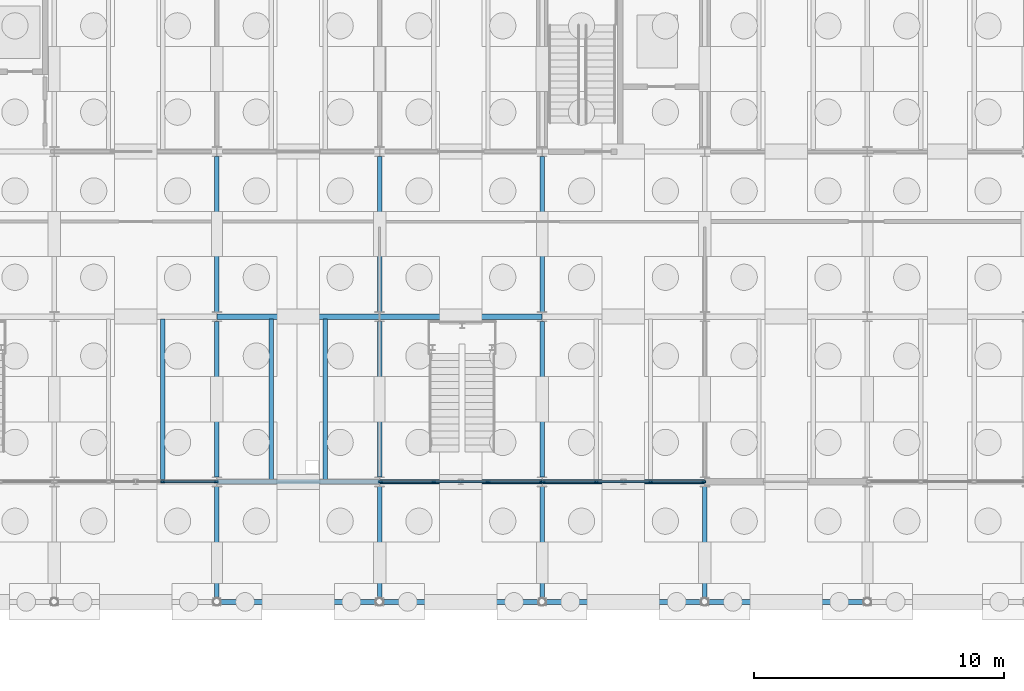
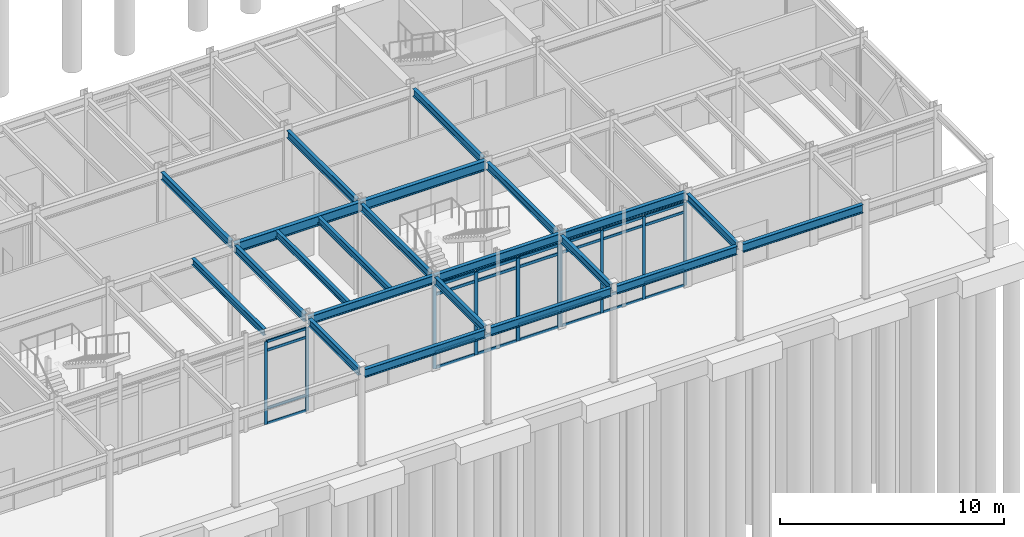
# One storey, part 43 of 82: 38 members, 22 beams, 3 elements without a shape of their own.
"""IFC4 building model written with IfcOpenShell, lengths in metres."""

import ifcopenshell
import ifcopenshell.guid

model = None  # the IFC model being written
_history = None  # IfcOwnerHistory: only IFC2X3 demands one
_inside = {}  # id of a spatial element -> (the spatial element, [elements in it])
_under = {}  # id of a project, library or spatial element -> (it, [spatial elements below it])
_declared = {}  # id of a project -> (the project, [libraries it declares])
_typed = {}  # id of a type object -> (the type object, [elements of that type])
_made_of = {}  # id of a material, layer set ... -> (it, [elements and type objects made of it])


def new_model(schema):
    """Start an empty IFC model of exactly this schema.

    Asked for "IFC4X3", IfcOpenShell would pick the latest addendum, in which some entities
    have other attributes; the version numbers below select the first issue.
    IFC2X3 requires an IfcOwnerHistory on every rooted entity: one is made here for all.
    """
    global model, _history
    if schema == "IFC4X3":
        model = ifcopenshell.file(schema_version=(4, 3, 0, 0))
    else:
        model = ifcopenshell.file(schema=schema)
    _inside.clear()
    _under.clear()
    _declared.clear()
    _typed.clear()
    _made_of.clear()
    _history = None
    if model.schema == "IFC2X3":
        org = make("IfcOrganization", Name="unknown")
        user = make(
            "IfcPersonAndOrganization",
            ThePerson=make("IfcPerson", FamilyName="unknown"),
            TheOrganization=org,
        )
        app = make(
            "IfcApplication",
            ApplicationDeveloper=org,
            Version="unknown",
            ApplicationFullName="unknown",
            ApplicationIdentifier="unknown",
        )
        _history = make(
            "IfcOwnerHistory",
            OwningUser=user,
            OwningApplication=app,
            ChangeAction="ADDED",
            CreationDate=0,
        )
    return model


def make(cls, **values):
    """One entity of the class cls with the attributes given. An attribute that is None is left unset."""
    return model.create_entity(
        cls, **{name: value for name, value in values.items() if value is not None}
    )


def rooted(cls, **values):
    """An entity with a GlobalId (a new one), such as an element, a storey or a relation."""
    return make(cls, GlobalId=ifcopenshell.guid.new(), OwnerHistory=_history, **values)


def si_unit(unit_type, name, prefix=None):
    """IfcSIUnit, for example si_unit("LENGTHUNIT", "METRE", prefix="MILLI")."""
    return make("IfcSIUnit", UnitType=unit_type, Prefix=prefix, Name=name)


def assignment(units):
    """IfcUnitAssignment: the units of a project."""
    return None if units is None else make("IfcUnitAssignment", Units=units)


def point(xyz):
    """IfcCartesianPoint."""
    return None if xyz is None else make("IfcCartesianPoint", Coordinates=xyz)


def direction(xyz):
    """IfcDirection."""
    return None if xyz is None else make("IfcDirection", DirectionRatios=xyz)


def frame(location, z_axis=None, x_axis=None):
    """IfcAxis2Placement3D, a coordinate frame: its origin and axes. An axis left out is left unset."""
    return make(
        "IfcAxis2Placement3D",
        Location=point(location),
        Axis=direction(z_axis),
        RefDirection=direction(x_axis),
    )


def frame_2d(location, x_axis=None):
    """IfcAxis2Placement2D, a coordinate frame in the plane: its origin and x axis."""
    return make(
        "IfcAxis2Placement2D", Location=point(location), RefDirection=direction(x_axis)
    )


def origin():
    """The frame at (0, 0, 0) with its axes left unset."""
    return frame((0.0, 0.0, 0.0))


def origin_2d():
    """The frame at (0, 0) in the plane with its x axis left unset."""
    return frame_2d((0.0, 0.0))


def place(relative_to, where):
    """IfcLocalPlacement: puts the frame where relative to a parent placement (None: the world)."""
    return make(
        "IfcLocalPlacement", PlacementRelTo=relative_to, RelativePlacement=where
    )


def context(
    kind, dimensions, precision=None, world=None, true_north=None, identifier=None
):
    """IfcGeometricRepresentationContext, for example the 3D "Model" context."""
    return make(
        "IfcGeometricRepresentationContext",
        ContextIdentifier=identifier,
        ContextType=kind,
        CoordinateSpaceDimension=dimensions,
        Precision=precision,
        WorldCoordinateSystem=world,
        TrueNorth=true_north,
    )


def subcontext(parent, identifier, kind, view, scale=None):
    """IfcGeometricRepresentationSubContext, for example "Body" below "Model"."""
    return make(
        "IfcGeometricRepresentationSubContext",
        ContextIdentifier=identifier,
        ContextType=kind,
        ParentContext=parent,
        TargetScale=scale,
        TargetView=view,
    )


def project(units=None, contexts=None):
    """IfcProject with its units and contexts."""
    return rooted(
        "IfcProject",
        Name="project",
        RepresentationContexts=contexts,
        UnitsInContext=assignment(units),
    )


def spatial(cls, under=None, at=None, **own):
    """A site, building, storey or space (cls), placed at a placement, below another one or the project."""
    s = rooted(cls, ObjectPlacement=at, **own)
    if under is not None:
        _under.setdefault(under.id(), (under, []))[1].append(s)
    return s


def profile(cls, at=None, kind="AREA", **sizes):
    """A parametric profile (cls). Its sizes go by their IFC names, for example OverallWidth=200.0."""
    return make(cls, ProfileType=kind, Position=at, **sizes)


def rectangle(**sizes):
    """IfcRectangleProfileDef."""
    return profile("IfcRectangleProfileDef", **sizes)


def i_section(**sizes):
    """IfcIShapeProfileDef."""
    return profile("IfcIShapeProfileDef", **sizes)


def extrude(swept, where, along, depth):
    """IfcExtrudedAreaSolid: the profile swept, set in the frame where, extruded along a direction by depth."""
    return make(
        "IfcExtrudedAreaSolid",
        SweptArea=swept,
        Position=where,
        ExtrudedDirection=direction(along),
        Depth=depth,
    )


def shape(context_of_items, identifier, shape_type, items):
    """IfcShapeRepresentation: the items that make up one representation, for example the "Body"."""
    return make(
        "IfcShapeRepresentation",
        ContextOfItems=context_of_items,
        RepresentationIdentifier=identifier,
        RepresentationType=shape_type,
        Items=items,
    )


def material(Name=None, Category=None):
    """IfcMaterial."""
    return make("IfcMaterial", Name=Name, Category=Category)


def layer(
    of_material, thickness, ventilated=None, Name=None, Category=None, Priority=None
):
    """IfcMaterialLayer: one layer of a wall or slab, of a material (None: an air gap)."""
    return make(
        "IfcMaterialLayer",
        Material=of_material,
        LayerThickness=thickness,
        IsVentilated=ventilated,
        Name=Name,
        Category=Category,
        Priority=Priority,
    )


def layer_set(layers, Name=None):
    """IfcMaterialLayerSet."""
    return make("IfcMaterialLayerSet", MaterialLayers=layers, LayerSetName=Name)


def material_profile(
    of_material, cross_section, Name=None, Category=None, Priority=None
):
    """IfcMaterialProfile: a cross section and its material."""
    return make(
        "IfcMaterialProfile",
        Name=Name,
        Material=of_material,
        Profile=cross_section,
        Priority=Priority,
        Category=Category,
    )


def profile_set(profiles, Name=None, composite=None):
    """IfcMaterialProfileSet."""
    return make(
        "IfcMaterialProfileSet",
        Name=Name,
        MaterialProfiles=profiles,
        CompositeProfile=composite,
    )


def made_of(thing, what):
    """Note that an element or type object is made of a material, layer set ...; save() writes the relation."""
    if what is not None:
        _made_of.setdefault(what.id(), (what, []))[1].append(thing)
    return thing


def type_object(cls, material=None, **own):
    """A type object (cls), such as IfcWallType, which elements share."""
    return made_of(rooted(cls, **own), material)


def element(
    cls,
    number,
    at=None,
    inside=None,
    cuts=None,
    type_object=None,
    material=None,
    context=None,
    identifier="Body",
    shape_type=None,
    held_by="IfcProductDefinitionShape",
    body=None,
    shapes=None,
    **own,
):
    """One element of the class cls, such as IfcWall. Its Tag is "e" and its number.

    at: its placement. inside: the storey or other place that contains it. cuts: it is an
    opening in that element (IfcRelVoidsElement). A single representation is given by context,
    identifier, shape_type and body (its items); several are given by shapes. held_by: the class
    of the entity that holds the representations. save() writes the other relations.
    """
    e = rooted(cls, Tag="e%d" % number, ObjectPlacement=at, **own)
    if body is not None:
        shapes = [shape(context, identifier, shape_type, body)]
    if shapes is not None:
        e.Representation = make(held_by, Representations=shapes)
    if inside is not None:
        _inside.setdefault(inside.id(), (inside, []))[1].append(e)
    if cuts is not None:
        rooted(
            "IfcRelVoidsElement", RelatingBuildingElement=cuts, RelatedOpeningElement=e
        )
    if type_object is not None:
        _typed.setdefault(type_object.id(), (type_object, []))[1].append(e)
    return made_of(e, material)


def aggregate(whole, parts):
    """IfcRelAggregates: a whole, such as a stair, and the parts it consists of."""
    return rooted("IfcRelAggregates", RelatingObject=whole, RelatedObjects=parts)


def save(model, path):
    """Write the relations noted so far, then the file.

    IfcRelAggregates (storeys below a building ...), IfcRelContainedInSpatialStructure (elements
    in a storey), IfcRelDefinesByType, IfcRelAssociatesMaterial and IfcRelDeclares: one each for
    every whole, place, type object, material and project.
    """
    for whole, parts in _under.values():
        aggregate(whole, parts)
    for where, things in _inside.values():
        rooted(
            "IfcRelContainedInSpatialStructure",
            RelatedElements=things,
            RelatingStructure=where,
        )
    for kind, things in _typed.values():
        rooted("IfcRelDefinesByType", RelatedObjects=things, RelatingType=kind)
    for what, things in _made_of.values():
        rooted("IfcRelAssociatesMaterial", RelatedObjects=things, RelatingMaterial=what)
    for by, libraries in _declared.values():
        rooted("IfcRelDeclares", RelatingContext=by, RelatedDefinitions=libraries)
    model.write(path)


model = new_model("IFC4")

# Units and contexts
model_context = context("Model", 3, precision=1e-05, world=origin(), true_north=direction((0.0, 1.0)))
body_context = subcontext(model_context, "Body", "Model", "MODEL_VIEW")
ifc_project = project(units=[si_unit("LENGTHUNIT", "METRE"), si_unit("AREAUNIT", "SQUARE_METRE"), si_unit("VOLUMEUNIT", "CUBIC_METRE"), si_unit("PLANEANGLEUNIT", "RADIAN"), si_unit("MASSUNIT", "GRAM", prefix="KILO")], contexts=[model_context])

# Site, building, storey
site_placement = place(None, origin())
site = spatial("IfcSite", under=ifc_project, at=site_placement, CompositionType="ELEMENT")
building_placement = place(site_placement, origin())
building = spatial("IfcBuilding", under=site, at=building_placement, Name="Trelmorton Wharf Fire Station", CompositionType="ELEMENT")
storey_placement = place(building_placement, origin())
storey = spatial("IfcBuildingStorey", under=building, at=storey_placement, Name="L00", CompositionType="ELEMENT", Elevation=0.0)

# Beams
ifc_material_1 = material(Name="Steel Grade 350", Category="steel")
ifc_material_profile_1 = material_profile(ifc_material_1, i_section(OverallWidth=0.177978515625, OverallDepth=0.406005859375, WebThickness=0.0078125, FlangeThickness=0.0126953125, FilletRadius=0.011474609375, at=origin_2d()), Name="410UB59.7")
ifc_profile_set_1 = profile_set([ifc_material_profile_1], Name="Steel Grade 350")
beam_type_1 = type_object("IfcBeamType", Name="BM_410UB60", PredefinedType="BEAM", material=ifc_profile_set_1)
beam_1_placement = place(storey_placement, frame((130.0, 3.157958984375, 4.927001953125), z_axis=(0.0, 1.0, 0.0), x_axis=(-1.0, 0.0, 0.0)))
element("IfcBeam", 1, at=beam_1_placement, inside=storey, type_object=beam_type_1, Name="BM-L00-0351", PredefinedType="BEAM", context=body_context, shape_type="SweptSolid", body=[
    extrude(i_section(OverallWidth=0.177978515625, OverallDepth=0.406005859375, WebThickness=0.0078125, FlangeThickness=0.0126953125, FilletRadius=0.011474609375, at=origin_2d()), origin(), (0.0, 0.0, 1.0), 4.446044921875),
])
for number, where, z_axis, x_axis, name in (
    (2, (130.0, 7.99609375, 4.927001953125), (0.0, 1.0, 0.0), (-1.0, 0.0, 0.0), "BM-L00-0352"),
    (3, (130.0, 14.595947265625, 4.927001953125), (0.0, 1.0, 0.0), (-1.0, 0.0, 0.0), "BM-L00-0353"),
):
    element("IfcBeam", number, at=place(storey_placement, frame(where, z_axis=z_axis, x_axis=x_axis)), inside=storey, type_object=beam_type_1, Name=name, PredefinedType="BEAM", context=body_context, shape_type="SweptSolid", body=[
        extrude(i_section(OverallWidth=0.177978515625, OverallDepth=0.406005859375, WebThickness=0.0078125, FlangeThickness=0.0126953125, FilletRadius=0.011474609375, at=origin_2d()), origin(), (0.0, 0.0, 1.0), 6.2080078125),
    ])
beam_2_placement = place(storey_placement, frame((136.5, 3.157958984375, 4.927001953125), z_axis=(0.0, 1.0, 0.0), x_axis=(-1.0, 0.0, 0.0)))
element("IfcBeam", 4, at=beam_2_placement, inside=storey, type_object=beam_type_1, Name="BM-L00-0358", PredefinedType="BEAM", context=body_context, shape_type="SweptSolid", body=[
    extrude(i_section(OverallWidth=0.177978515625, OverallDepth=0.406005859375, WebThickness=0.0078125, FlangeThickness=0.0126953125, FilletRadius=0.011474609375, at=origin_2d()), origin(), (0.0, 0.0, 1.0), 4.446044921875),
])
for number, where, z_axis, x_axis, name in (
    (5, (136.5, 7.99609375, 4.927001953125), (0.0, 1.0, 0.0), (-1.0, 0.0, 0.0), "BM-L00-0359"),
    (6, (136.5, 14.595947265625, 4.927001953125), (0.0, 1.0, 0.0), (-1.0, 0.0, 0.0), "BM-L00-0360"),
):
    element("IfcBeam", number, at=place(storey_placement, frame(where, z_axis=z_axis, x_axis=x_axis)), inside=storey, type_object=beam_type_1, Name=name, PredefinedType="BEAM", context=body_context, shape_type="SweptSolid", body=[
        extrude(i_section(OverallWidth=0.177978515625, OverallDepth=0.406005859375, WebThickness=0.0078125, FlangeThickness=0.0126953125, FilletRadius=0.011474609375, at=origin_2d()), origin(), (0.0, 0.0, 1.0), 6.2080078125),
    ])
beam_3_placement = place(storey_placement, frame((143.0, 3.157958984375, 4.927001953125), z_axis=(0.0, 1.0, 0.0), x_axis=(-1.0, 0.0, 0.0)))
element("IfcBeam", 7, at=beam_3_placement, inside=storey, type_object=beam_type_1, Name="BM-L00-0365", PredefinedType="BEAM", context=body_context, shape_type="SweptSolid", body=[
    extrude(i_section(OverallWidth=0.177978515625, OverallDepth=0.406005859375, WebThickness=0.0078125, FlangeThickness=0.0126953125, FilletRadius=0.011474609375, at=origin_2d()), origin(), (0.0, 0.0, 1.0), 4.446044921875),
])
for number, where, z_axis, x_axis, name in (
    (8, (143.0, 7.99609375, 4.927001953125), (0.0, 1.0, 0.0), (-1.0, 0.0, 0.0), "BM-L00-0366"),
    (9, (143.0, 14.595947265625, 4.927001953125), (0.0, 1.0, 0.0), (-1.0, 0.0, 0.0), "BM-L00-0367"),
):
    element("IfcBeam", number, at=place(storey_placement, frame(where, z_axis=z_axis, x_axis=x_axis)), inside=storey, type_object=beam_type_1, Name=name, PredefinedType="BEAM", context=body_context, shape_type="SweptSolid", body=[
        extrude(i_section(OverallWidth=0.177978515625, OverallDepth=0.406005859375, WebThickness=0.0078125, FlangeThickness=0.0126953125, FilletRadius=0.011474609375, at=origin_2d()), origin(), (0.0, 0.0, 1.0), 6.2080078125),
    ])
beam_4_placement = place(storey_placement, frame((149.5, 3.157958984375, 4.927001953125), z_axis=(0.0, 1.0, 0.0), x_axis=(-1.0, 0.0, 0.0)))
element("IfcBeam", 10, at=beam_4_placement, inside=storey, type_object=beam_type_1, Name="BM-L00-0372", PredefinedType="BEAM", context=body_context, shape_type="SweptSolid", body=[
    extrude(i_section(OverallWidth=0.177978515625, OverallDepth=0.406005859375, WebThickness=0.0078125, FlangeThickness=0.0126953125, FilletRadius=0.011474609375, at=origin_2d()), origin(), (0.0, 0.0, 1.0), 4.446044921875),
])
ifc_material_profile_2 = material_profile(ifc_material_1, i_section(OverallWidth=0.208984375, OverallDepth=0.532958984375, WebThickness=0.01025390625, FlangeThickness=0.015625, FilletRadius=0.013916015625, at=origin_2d()), Name="530UB92.4")
ifc_profile_set_2 = profile_set([ifc_material_profile_2], Name="Steel Grade 350")
beam_type_2 = type_object("IfcBeamType", Name="BM_530UB92", PredefinedType="BEAM", material=ifc_profile_set_2)
for number, where, z_axis, x_axis, name in (
    (11, (130.008056640625, 14.39990234375, 4.863525390625), (1.0, 0.0, 0.0), (0.0, 1.0, 0.0), "BM-L00-0053"),
    (12, (136.508056640625, 14.39990234375, 4.863525390625), (1.0, 0.0, 0.0), (0.0, 1.0, 0.0), "BM-L00-0054"),
):
    element("IfcBeam", number, at=place(storey_placement, frame(where, z_axis=z_axis, x_axis=x_axis)), inside=storey, type_object=beam_type_2, Name=name, PredefinedType="BEAM", context=body_context, shape_type="SweptSolid", body=[
        extrude(i_section(OverallWidth=0.208984375, OverallDepth=0.532958984375, WebThickness=0.01025390625, FlangeThickness=0.015625, FilletRadius=0.013916015625, at=origin_2d()), origin(), (0.0, 0.0, 1.0), 6.48388671875),
    ])
ifc_material_2 = material(Name="Signal-red architectural steel Grade 350", Category="steel")
ifc_material_profile_3 = material_profile(ifc_material_2, i_section(OverallWidth=0.19091796875, OverallDepth=0.4599609375, WebThickness=0.010009765625, FlangeThickness=0.01611328125, FilletRadius=0.011474609375, at=origin_2d()), Name="460UB82.1")
ifc_profile_set_3 = profile_set([ifc_material_profile_3], Name="Signal-red architectural steel Grade 350")
beam_type_3 = type_object("IfcBeamType", Name="BM_RED_460UB82", PredefinedType="BEAM", material=ifc_profile_set_3)
for number, where, z_axis, x_axis, name in (
    (13, (130.157958984375, 3.0, 4.89990234375), (1.0, 0.0, 0.0), (0.0, 1.0, 0.0), "BM-L00-0019"),
    (14, (136.657958984375, 3.0, 4.89990234375), (1.0, 0.0, 0.0), (0.0, 1.0, 0.0), "BM-L00-0020"),
    (15, (143.157958984375, 3.0, 4.89990234375), (1.0, 0.0, 0.0), (0.0, 1.0, 0.0), "BM-L00-0021"),
    (16, (149.657958984375, 3.0, 4.89990234375), (1.0, 0.0, 0.0), (0.0, 1.0, 0.0), "BM-L00-0022"),
):
    element("IfcBeam", number, at=place(storey_placement, frame(where, z_axis=z_axis, x_axis=x_axis)), inside=storey, type_object=beam_type_3, Name=name, PredefinedType="BEAM", context=body_context, shape_type="SweptSolid", body=[
        extrude(i_section(OverallWidth=0.19091796875, OverallDepth=0.4599609375, WebThickness=0.010009765625, FlangeThickness=0.01611328125, FilletRadius=0.011474609375, at=origin_2d()), origin(), (0.0, 0.0, 1.0), 6.18408203125),
    ])

# Curtain wall, members
ifc_material_3 = material(Name="Anodised aluminium AW-6063", Category="aluminium")
ifc_layer_1 = layer(ifc_material_3, 0.175048828125)
ifc_layer_set_1 = layer_set([ifc_layer_1], Name="Anodised aluminium AW-6063")
curtain_wall_type_1 = type_object("IfcCurtainWallType", Name="CW_CHIC_B", PredefinedType="USERDEFINED", material=ifc_layer_set_1)
curtain_wall_1_placement = place(storey_placement, origin())
curtain_wall_1 = element("IfcCurtainWall", 17, at=curtain_wall_1_placement, inside=storey, type_object=curtain_wall_type_1, Name="CW-V5-L00-031", ObjectType="CHICAGO BAY CURTAIN WALL", PredefinedType="USERDEFINED")
ifc_material_profile_4 = material_profile(ifc_material_3, rectangle(XDim=0.06494140625, YDim=0.159912109375, at=origin_2d()), Name="ALU-65x160")
ifc_profile_set_4 = profile_set([ifc_material_profile_4], Name="Anodised aluminium AW-6063")
member_type_1 = type_object("IfcMemberType", Name="CWM_65x160", PredefinedType="MULLION", material=ifc_profile_set_4)
member_1_placement = place(storey_placement, frame((129.965087890625, 7.800048828125, 0.0), z_axis=(0.0, 0.0, 1.0), x_axis=(0.0, -1.0, 0.0)))
member_1 = element("IfcMember", 18, at=member_1_placement, type_object=member_type_1, Name="CW2 mullion 1", PredefinedType="MULLION", context=body_context, shape_type="SweptSolid", body=[
    extrude(rectangle(XDim=0.06494140625, YDim=0.159912109375, at=origin_2d()), origin(), (0.0, 0.0, 1.0), 4.52001953125),
])
member_2_placement = place(storey_placement, frame((127.831787109375, 7.800048828125, 0.0), z_axis=(0.0, 0.0, 1.0), x_axis=(0.0, -1.0, 0.0)))
member_2 = element("IfcMember", 19, at=member_2_placement, type_object=member_type_1, Name="CW2 mullion 2", PredefinedType="MULLION", context=body_context, shape_type="SweptSolid", body=[
    extrude(rectangle(XDim=0.06494140625, YDim=0.159912109375, at=origin_2d()), origin(), (0.0, 0.0, 1.0), 4.52001953125),
])

ifc_layer_2 = layer(ifc_material_3, 0.159912109375)
ifc_layer_set_2 = layer_set([ifc_layer_2], Name="Anodised aluminium AW-6063")
curtain_wall_type_2 = type_object("IfcCurtainWallType", Name="CW_CHIC_A", PredefinedType="USERDEFINED", material=ifc_layer_set_2)
curtain_wall_2_placement = place(storey_placement, origin())
curtain_wall_2 = element("IfcCurtainWall", 20, at=curtain_wall_2_placement, inside=storey, type_object=curtain_wall_type_2, Name="CW-V5-L00-033", ObjectType="CHICAGO BAY CURTAIN WALL", PredefinedType="USERDEFINED")
member_3_placement = place(storey_placement, frame((149.465087890625, 7.800048828125, 0.0), z_axis=(0.0, 0.0, 1.0), x_axis=(0.0, -1.0, 0.0)))
member_3 = element("IfcMember", 21, at=member_3_placement, type_object=member_type_1, Name="CW1 mullion 1", PredefinedType="MULLION", context=body_context, shape_type="SweptSolid", body=[
    extrude(rectangle(XDim=0.06494140625, YDim=0.159912109375, at=origin_2d()), origin(), (0.0, 0.0, 1.0), 4.52001953125),
])
member_4_placement = place(storey_placement, frame((147.331787109375, 7.800048828125, 0.0), z_axis=(0.0, 0.0, 1.0), x_axis=(0.0, -1.0, 0.0)))
member_4 = element("IfcMember", 22, at=member_4_placement, type_object=member_type_1, Name="CW1 mullion 2", PredefinedType="MULLION", context=body_context, shape_type="SweptSolid", body=[
    extrude(rectangle(XDim=0.06494140625, YDim=0.159912109375, at=origin_2d()), origin(), (0.0, 0.0, 1.0), 4.52001953125),
])
member_5_placement = place(storey_placement, frame((145.168212890625, 7.800048828125, 0.0), z_axis=(0.0, 0.0, 1.0), x_axis=(0.0, -1.0, 0.0)))
member_5 = element("IfcMember", 23, at=member_5_placement, type_object=member_type_1, Name="CW1 mullion 3", PredefinedType="MULLION", context=body_context, shape_type="SweptSolid", body=[
    extrude(rectangle(XDim=0.06494140625, YDim=0.159912109375, at=origin_2d()), origin(), (0.0, 0.0, 1.0), 4.52001953125),
])
member_6_placement = place(storey_placement, frame((143.034912109375, 7.800048828125, 0.0), z_axis=(0.0, 0.0, 1.0), x_axis=(0.0, -1.0, 0.0)))
member_6 = element("IfcMember", 24, at=member_6_placement, type_object=member_type_1, Name="CW1 mullion 4", PredefinedType="MULLION", context=body_context, shape_type="SweptSolid", body=[
    extrude(rectangle(XDim=0.06494140625, YDim=0.159912109375, at=origin_2d()), origin(), (0.0, 0.0, 1.0), 4.52001953125),
])

curtain_wall_3_placement = place(storey_placement, origin())
curtain_wall_3 = element("IfcCurtainWall", 25, at=curtain_wall_3_placement, inside=storey, type_object=curtain_wall_type_1, Name="CW-V5-L00-032", ObjectType="CHICAGO BAY CURTAIN WALL", PredefinedType="USERDEFINED")
ifc_material_profile_5 = material_profile(ifc_material_3, rectangle(XDim=0.074951171875, YDim=0.175048828125, at=origin_2d()), Name="ALU-75x175")
ifc_profile_set_5 = profile_set([ifc_material_profile_5], Name="Anodised aluminium AW-6063")
member_type_2 = type_object("IfcMemberType", Name="CWM_75x175", PredefinedType="MULLION", material=ifc_profile_set_5)
member_7_placement = place(storey_placement, frame((142.965087890625, 7.800048828125, 0.0), z_axis=(0.0, 0.0, 1.0), x_axis=(0.0, -1.0, 0.0)))
member_7 = element("IfcMember", 26, at=member_7_placement, type_object=member_type_2, Name="CW2 mullion 1", PredefinedType="MULLION", context=body_context, shape_type="SweptSolid", body=[
    extrude(rectangle(XDim=0.074951171875, YDim=0.175048828125, at=origin_2d()), origin(), (0.0, 0.0, 1.0), 4.52001953125),
])
member_8_placement = place(storey_placement, frame((140.831787109375, 7.800048828125, 0.0), z_axis=(0.0, 0.0, 1.0), x_axis=(0.0, -1.0, 0.0)))
member_8 = element("IfcMember", 27, at=member_8_placement, type_object=member_type_2, Name="CW2 mullion 2", PredefinedType="MULLION", context=body_context, shape_type="SweptSolid", body=[
    extrude(rectangle(XDim=0.074951171875, YDim=0.175048828125, at=origin_2d()), origin(), (0.0, 0.0, 1.0), 4.52001953125),
])
member_9_placement = place(storey_placement, frame((138.668212890625, 7.800048828125, 0.0), z_axis=(0.0, 0.0, 1.0), x_axis=(0.0, -1.0, 0.0)))
member_9 = element("IfcMember", 28, at=member_9_placement, type_object=member_type_2, Name="CW2 mullion 3", PredefinedType="MULLION", context=body_context, shape_type="SweptSolid", body=[
    extrude(rectangle(XDim=0.074951171875, YDim=0.175048828125, at=origin_2d()), origin(), (0.0, 0.0, 1.0), 4.52001953125),
])
member_10_placement = place(storey_placement, frame((136.534912109375, 7.800048828125, 0.0), z_axis=(0.0, 0.0, 1.0), x_axis=(0.0, -1.0, 0.0)))
member_10 = element("IfcMember", 29, at=member_10_placement, type_object=member_type_2, Name="CW2 mullion 4", PredefinedType="MULLION", context=body_context, shape_type="SweptSolid", body=[
    extrude(rectangle(XDim=0.074951171875, YDim=0.175048828125, at=origin_2d()), origin(), (0.0, 0.0, 1.0), 4.52001953125),
])

# Member
ifc_material_profile_6 = material_profile(ifc_material_3, rectangle(XDim=0.06494140625, YDim=0.139892578125, at=origin_2d()), Name="ALU-65x140")
ifc_profile_set_6 = profile_set([ifc_material_profile_6], Name="Anodised aluminium AW-6063")
member_type_3 = type_object("IfcMemberType", Name="CWT_65x140", PredefinedType="USERDEFINED", material=ifc_profile_set_6)
member_11_placement = place(storey_placement, frame((129.93505859375, 7.800048828125, 0.030029296875), z_axis=(-1.0, 0.0, 0.0), x_axis=(0.0, -1.0, 0.0)))
member_11 = element("IfcMember", 30, at=member_11_placement, type_object=member_type_3, Name="CW2 transom 1.1", ObjectType="TRANSOM", PredefinedType="USERDEFINED", context=body_context, shape_type="SweptSolid", body=[
    extrude(rectangle(XDim=0.06494140625, YDim=0.139892578125, at=origin_2d()), origin(), (0.0, 0.0, 1.0), 2.073486328125),
])

member_12_placement = place(storey_placement, frame((129.93505859375, 7.800048828125, 0.85009765625), z_axis=(-1.0, 0.0, 0.0), x_axis=(0.0, -1.0, 0.0)))
member_12 = element("IfcMember", 31, at=member_12_placement, type_object=member_type_3, Name="CW2 transom 1.2", ObjectType="TRANSOM", PredefinedType="USERDEFINED", context=body_context, shape_type="SweptSolid", body=[
    extrude(rectangle(XDim=0.06494140625, YDim=0.139892578125, at=origin_2d()), origin(), (0.0, 0.0, 1.0), 2.073486328125),
])

member_13_placement = place(storey_placement, frame((129.93505859375, 7.800048828125, 4.02001953125), z_axis=(-1.0, 0.0, 0.0), x_axis=(0.0, -1.0, 0.0)))
member_13 = element("IfcMember", 32, at=member_13_placement, type_object=member_type_3, Name="CW2 transom 1.3", ObjectType="TRANSOM", PredefinedType="USERDEFINED", context=body_context, shape_type="SweptSolid", body=[
    extrude(rectangle(XDim=0.06494140625, YDim=0.139892578125, at=origin_2d()), origin(), (0.0, 0.0, 1.0), 2.073486328125),
])

member_14_placement = place(storey_placement, frame((129.93505859375, 7.800048828125, 4.489990234375), z_axis=(-1.0, 0.0, 0.0), x_axis=(0.0, -1.0, 0.0)))
member_14 = element("IfcMember", 33, at=member_14_placement, type_object=member_type_3, Name="CW2 transom 1.4", ObjectType="TRANSOM", PredefinedType="USERDEFINED", context=body_context, shape_type="SweptSolid", body=[
    extrude(rectangle(XDim=0.06494140625, YDim=0.139892578125, at=origin_2d()), origin(), (0.0, 0.0, 1.0), 2.073486328125),
])

aggregate(curtain_wall_1, [member_1, member_2, member_11, member_12, member_13, member_14])

member_15_placement = place(storey_placement, frame((149.43505859375, 7.800048828125, 0.030029296875), z_axis=(-1.0, 0.0, 0.0), x_axis=(0.0, -1.0, 0.0)))
member_15 = element("IfcMember", 34, at=member_15_placement, type_object=member_type_3, Name="CW1 transom 1.1", ObjectType="TRANSOM", PredefinedType="USERDEFINED", context=body_context, shape_type="SweptSolid", body=[
    extrude(rectangle(XDim=0.06494140625, YDim=0.139892578125, at=origin_2d()), origin(), (0.0, 0.0, 1.0), 2.073486328125),
])

member_16_placement = place(storey_placement, frame((149.43505859375, 7.800048828125, 0.85009765625), z_axis=(-1.0, 0.0, 0.0), x_axis=(0.0, -1.0, 0.0)))
member_16 = element("IfcMember", 35, at=member_16_placement, type_object=member_type_3, Name="CW1 transom 1.2", ObjectType="TRANSOM", PredefinedType="USERDEFINED", context=body_context, shape_type="SweptSolid", body=[
    extrude(rectangle(XDim=0.06494140625, YDim=0.139892578125, at=origin_2d()), origin(), (0.0, 0.0, 1.0), 2.073486328125),
])

member_17_placement = place(storey_placement, frame((149.43505859375, 7.800048828125, 4.02001953125), z_axis=(-1.0, 0.0, 0.0), x_axis=(0.0, -1.0, 0.0)))
member_17 = element("IfcMember", 36, at=member_17_placement, type_object=member_type_3, Name="CW1 transom 1.3", ObjectType="TRANSOM", PredefinedType="USERDEFINED", context=body_context, shape_type="SweptSolid", body=[
    extrude(rectangle(XDim=0.06494140625, YDim=0.139892578125, at=origin_2d()), origin(), (0.0, 0.0, 1.0), 2.073486328125),
])

member_18_placement = place(storey_placement, frame((149.43505859375, 7.800048828125, 4.489990234375), z_axis=(-1.0, 0.0, 0.0), x_axis=(0.0, -1.0, 0.0)))
member_18 = element("IfcMember", 37, at=member_18_placement, type_object=member_type_3, Name="CW1 transom 1.4", ObjectType="TRANSOM", PredefinedType="USERDEFINED", context=body_context, shape_type="SweptSolid", body=[
    extrude(rectangle(XDim=0.06494140625, YDim=0.139892578125, at=origin_2d()), origin(), (0.0, 0.0, 1.0), 2.073486328125),
])

member_19_placement = place(storey_placement, frame((147.3017578125, 7.800048828125, 0.030029296875), z_axis=(-1.0, 0.0, 0.0), x_axis=(0.0, -1.0, 0.0)))
member_19 = element("IfcMember", 38, at=member_19_placement, type_object=member_type_3, Name="CW1 transom 2.1", ObjectType="TRANSOM", PredefinedType="USERDEFINED", context=body_context, shape_type="SweptSolid", body=[
    extrude(rectangle(XDim=0.06494140625, YDim=0.139892578125, at=origin_2d()), origin(), (0.0, 0.0, 1.0), 2.103515625),
])

member_20_placement = place(storey_placement, frame((147.3017578125, 7.800048828125, 0.85009765625), z_axis=(-1.0, 0.0, 0.0), x_axis=(0.0, -1.0, 0.0)))
member_20 = element("IfcMember", 39, at=member_20_placement, type_object=member_type_3, Name="CW1 transom 2.2", ObjectType="TRANSOM", PredefinedType="USERDEFINED", context=body_context, shape_type="SweptSolid", body=[
    extrude(rectangle(XDim=0.06494140625, YDim=0.139892578125, at=origin_2d()), origin(), (0.0, 0.0, 1.0), 2.103515625),
])

member_21_placement = place(storey_placement, frame((147.3017578125, 7.800048828125, 4.02001953125), z_axis=(-1.0, 0.0, 0.0), x_axis=(0.0, -1.0, 0.0)))
member_21 = element("IfcMember", 40, at=member_21_placement, type_object=member_type_3, Name="CW1 transom 2.3", ObjectType="TRANSOM", PredefinedType="USERDEFINED", context=body_context, shape_type="SweptSolid", body=[
    extrude(rectangle(XDim=0.06494140625, YDim=0.139892578125, at=origin_2d()), origin(), (0.0, 0.0, 1.0), 2.103515625),
])

member_22_placement = place(storey_placement, frame((147.3017578125, 7.800048828125, 4.489990234375), z_axis=(-1.0, 0.0, 0.0), x_axis=(0.0, -1.0, 0.0)))
member_22 = element("IfcMember", 41, at=member_22_placement, type_object=member_type_3, Name="CW1 transom 2.4", ObjectType="TRANSOM", PredefinedType="USERDEFINED", context=body_context, shape_type="SweptSolid", body=[
    extrude(rectangle(XDim=0.06494140625, YDim=0.139892578125, at=origin_2d()), origin(), (0.0, 0.0, 1.0), 2.103515625),
])

member_23_placement = place(storey_placement, frame((145.138427734375, 7.800048828125, 0.030029296875), z_axis=(-1.0, 0.0, 0.0), x_axis=(0.0, -1.0, 0.0)))
member_23 = element("IfcMember", 42, at=member_23_placement, type_object=member_type_3, Name="CW1 transom 3.1", ObjectType="TRANSOM", PredefinedType="USERDEFINED", context=body_context, shape_type="SweptSolid", body=[
    extrude(rectangle(XDim=0.06494140625, YDim=0.139892578125, at=origin_2d()), origin(), (0.0, 0.0, 1.0), 2.073486328125),
])

member_24_placement = place(storey_placement, frame((145.138427734375, 7.800048828125, 0.85009765625), z_axis=(-1.0, 0.0, 0.0), x_axis=(0.0, -1.0, 0.0)))
member_24 = element("IfcMember", 43, at=member_24_placement, type_object=member_type_3, Name="CW1 transom 3.2", ObjectType="TRANSOM", PredefinedType="USERDEFINED", context=body_context, shape_type="SweptSolid", body=[
    extrude(rectangle(XDim=0.06494140625, YDim=0.139892578125, at=origin_2d()), origin(), (0.0, 0.0, 1.0), 2.073486328125),
])

member_25_placement = place(storey_placement, frame((145.138427734375, 7.800048828125, 4.02001953125), z_axis=(-1.0, 0.0, 0.0), x_axis=(0.0, -1.0, 0.0)))
member_25 = element("IfcMember", 44, at=member_25_placement, type_object=member_type_3, Name="CW1 transom 3.3", ObjectType="TRANSOM", PredefinedType="USERDEFINED", context=body_context, shape_type="SweptSolid", body=[
    extrude(rectangle(XDim=0.06494140625, YDim=0.139892578125, at=origin_2d()), origin(), (0.0, 0.0, 1.0), 2.073486328125),
])

member_26_placement = place(storey_placement, frame((145.138427734375, 7.800048828125, 4.489990234375), z_axis=(-1.0, 0.0, 0.0), x_axis=(0.0, -1.0, 0.0)))
member_26 = element("IfcMember", 45, at=member_26_placement, type_object=member_type_3, Name="CW1 transom 3.4", ObjectType="TRANSOM", PredefinedType="USERDEFINED", context=body_context, shape_type="SweptSolid", body=[
    extrude(rectangle(XDim=0.06494140625, YDim=0.139892578125, at=origin_2d()), origin(), (0.0, 0.0, 1.0), 2.073486328125),
])

aggregate(curtain_wall_2, [member_3, member_4, member_5, member_6, member_15, member_16, member_17, member_18, member_19, member_20, member_21, member_22, member_23, member_24, member_25, member_26])

ifc_material_profile_7 = material_profile(ifc_material_3, rectangle(XDim=0.074951171875, YDim=0.155029296875, at=origin_2d()), Name="ALU-75x155")
ifc_profile_set_7 = profile_set([ifc_material_profile_7], Name="Anodised aluminium AW-6063")
member_type_4 = type_object("IfcMemberType", Name="CWT_75x155", PredefinedType="USERDEFINED", material=ifc_profile_set_7)
member_27_placement = place(storey_placement, frame((142.93505859375, 7.800048828125, 0.030029296875), z_axis=(-1.0, 0.0, 0.0), x_axis=(0.0, -1.0, 0.0)))
member_27 = element("IfcMember", 46, at=member_27_placement, type_object=member_type_4, Name="CW2 transom 1.1", ObjectType="TRANSOM", PredefinedType="USERDEFINED", context=body_context, shape_type="SweptSolid", body=[
    extrude(rectangle(XDim=0.074951171875, YDim=0.155029296875, at=origin_2d()), origin(), (0.0, 0.0, 1.0), 2.073486328125),
])

member_28_placement = place(storey_placement, frame((142.93505859375, 7.800048828125, 0.85009765625), z_axis=(-1.0, 0.0, 0.0), x_axis=(0.0, -1.0, 0.0)))
member_28 = element("IfcMember", 47, at=member_28_placement, type_object=member_type_4, Name="CW2 transom 1.2", ObjectType="TRANSOM", PredefinedType="USERDEFINED", context=body_context, shape_type="SweptSolid", body=[
    extrude(rectangle(XDim=0.074951171875, YDim=0.155029296875, at=origin_2d()), origin(), (0.0, 0.0, 1.0), 2.073486328125),
])

member_29_placement = place(storey_placement, frame((142.93505859375, 7.800048828125, 4.02001953125), z_axis=(-1.0, 0.0, 0.0), x_axis=(0.0, -1.0, 0.0)))
member_29 = element("IfcMember", 48, at=member_29_placement, type_object=member_type_4, Name="CW2 transom 1.3", ObjectType="TRANSOM", PredefinedType="USERDEFINED", context=body_context, shape_type="SweptSolid", body=[
    extrude(rectangle(XDim=0.074951171875, YDim=0.155029296875, at=origin_2d()), origin(), (0.0, 0.0, 1.0), 2.073486328125),
])

member_30_placement = place(storey_placement, frame((142.93505859375, 7.800048828125, 4.489990234375), z_axis=(-1.0, 0.0, 0.0), x_axis=(0.0, -1.0, 0.0)))
member_30 = element("IfcMember", 49, at=member_30_placement, type_object=member_type_4, Name="CW2 transom 1.4", ObjectType="TRANSOM", PredefinedType="USERDEFINED", context=body_context, shape_type="SweptSolid", body=[
    extrude(rectangle(XDim=0.074951171875, YDim=0.155029296875, at=origin_2d()), origin(), (0.0, 0.0, 1.0), 2.073486328125),
])

member_31_placement = place(storey_placement, frame((140.8017578125, 7.800048828125, 0.030029296875), z_axis=(-1.0, 0.0, 0.0), x_axis=(0.0, -1.0, 0.0)))
member_31 = element("IfcMember", 50, at=member_31_placement, type_object=member_type_4, Name="CW2 transom 2.1", ObjectType="TRANSOM", PredefinedType="USERDEFINED", context=body_context, shape_type="SweptSolid", body=[
    extrude(rectangle(XDim=0.074951171875, YDim=0.155029296875, at=origin_2d()), origin(), (0.0, 0.0, 1.0), 2.103515625),
])

member_32_placement = place(storey_placement, frame((140.8017578125, 7.800048828125, 0.85009765625), z_axis=(-1.0, 0.0, 0.0), x_axis=(0.0, -1.0, 0.0)))
member_32 = element("IfcMember", 51, at=member_32_placement, type_object=member_type_4, Name="CW2 transom 2.2", ObjectType="TRANSOM", PredefinedType="USERDEFINED", context=body_context, shape_type="SweptSolid", body=[
    extrude(rectangle(XDim=0.074951171875, YDim=0.155029296875, at=origin_2d()), origin(), (0.0, 0.0, 1.0), 2.103515625),
])

member_33_placement = place(storey_placement, frame((140.8017578125, 7.800048828125, 4.02001953125), z_axis=(-1.0, 0.0, 0.0), x_axis=(0.0, -1.0, 0.0)))
member_33 = element("IfcMember", 52, at=member_33_placement, type_object=member_type_4, Name="CW2 transom 2.3", ObjectType="TRANSOM", PredefinedType="USERDEFINED", context=body_context, shape_type="SweptSolid", body=[
    extrude(rectangle(XDim=0.074951171875, YDim=0.155029296875, at=origin_2d()), origin(), (0.0, 0.0, 1.0), 2.103515625),
])

member_34_placement = place(storey_placement, frame((140.8017578125, 7.800048828125, 4.489990234375), z_axis=(-1.0, 0.0, 0.0), x_axis=(0.0, -1.0, 0.0)))
member_34 = element("IfcMember", 53, at=member_34_placement, type_object=member_type_4, Name="CW2 transom 2.4", ObjectType="TRANSOM", PredefinedType="USERDEFINED", context=body_context, shape_type="SweptSolid", body=[
    extrude(rectangle(XDim=0.074951171875, YDim=0.155029296875, at=origin_2d()), origin(), (0.0, 0.0, 1.0), 2.103515625),
])

member_35_placement = place(storey_placement, frame((138.638427734375, 7.800048828125, 0.030029296875), z_axis=(-1.0, 0.0, 0.0), x_axis=(0.0, -1.0, 0.0)))
member_35 = element("IfcMember", 54, at=member_35_placement, type_object=member_type_4, Name="CW2 transom 3.1", ObjectType="TRANSOM", PredefinedType="USERDEFINED", context=body_context, shape_type="SweptSolid", body=[
    extrude(rectangle(XDim=0.074951171875, YDim=0.155029296875, at=origin_2d()), origin(), (0.0, 0.0, 1.0), 2.073486328125),
])

member_36_placement = place(storey_placement, frame((138.638427734375, 7.800048828125, 0.85009765625), z_axis=(-1.0, 0.0, 0.0), x_axis=(0.0, -1.0, 0.0)))
member_36 = element("IfcMember", 55, at=member_36_placement, type_object=member_type_4, Name="CW2 transom 3.2", ObjectType="TRANSOM", PredefinedType="USERDEFINED", context=body_context, shape_type="SweptSolid", body=[
    extrude(rectangle(XDim=0.074951171875, YDim=0.155029296875, at=origin_2d()), origin(), (0.0, 0.0, 1.0), 2.073486328125),
])

member_37_placement = place(storey_placement, frame((138.638427734375, 7.800048828125, 4.02001953125), z_axis=(-1.0, 0.0, 0.0), x_axis=(0.0, -1.0, 0.0)))
member_37 = element("IfcMember", 56, at=member_37_placement, type_object=member_type_4, Name="CW2 transom 3.3", ObjectType="TRANSOM", PredefinedType="USERDEFINED", context=body_context, shape_type="SweptSolid", body=[
    extrude(rectangle(XDim=0.074951171875, YDim=0.155029296875, at=origin_2d()), origin(), (0.0, 0.0, 1.0), 2.073486328125),
])

member_38_placement = place(storey_placement, frame((138.638427734375, 7.800048828125, 4.489990234375), z_axis=(-1.0, 0.0, 0.0), x_axis=(0.0, -1.0, 0.0)))
member_38 = element("IfcMember", 57, at=member_38_placement, type_object=member_type_4, Name="CW2 transom 3.4", ObjectType="TRANSOM", PredefinedType="USERDEFINED", context=body_context, shape_type="SweptSolid", body=[
    extrude(rectangle(XDim=0.074951171875, YDim=0.155029296875, at=origin_2d()), origin(), (0.0, 0.0, 1.0), 2.073486328125),
])

aggregate(curtain_wall_3, [member_7, member_8, member_9, member_10, member_27, member_28, member_29, member_30, member_31, member_32, member_33, member_34, member_35, member_36, member_37, member_38])

# Beams
ifc_material_profile_8 = material_profile(ifc_material_1, i_section(OverallWidth=0.172119140625, OverallDepth=0.35888671875, WebThickness=0.008056640625, FlangeThickness=0.012939453125, FilletRadius=0.011474609375, at=origin_2d()), Name="360UB56.7")
ifc_profile_set_8 = profile_set([ifc_material_profile_8], Name="Steel Grade 350")
beam_type_4 = type_object("IfcBeamType", Name="JS_360UB57", PredefinedType="JOIST", material=ifc_profile_set_8)
for number, where, z_axis, x_axis, name in (
    (58, (127.833251953125, 7.889892578125, 4.950439453125), (0.0, 1.0, 0.0), (-1.0, 0.0, 0.0), "JS-L00-0086"),
    (59, (132.166748046875, 7.889892578125, 4.950439453125), (0.0, 1.0, 0.0), (-1.0, 0.0, 0.0), "JS-L00-0095"),
    (60, (134.333251953125, 7.889892578125, 4.950439453125), (0.0, 1.0, 0.0), (-1.0, 0.0, 0.0), "JS-L00-0096"),
):
    element("IfcBeam", number, at=place(storey_placement, frame(where, z_axis=z_axis, x_axis=x_axis)), inside=storey, type_object=beam_type_4, Name=name, PredefinedType="JOIST", context=body_context, shape_type="SweptSolid", body=[
        extrude(i_section(OverallWidth=0.172119140625, OverallDepth=0.35888671875, WebThickness=0.008056640625, FlangeThickness=0.012939453125, FilletRadius=0.011474609375, at=origin_2d()), origin(), (0.0, 0.0, 1.0), 6.420166015625),
    ])
ifc_material_profile_9 = material_profile(ifc_material_1, i_section(OverallWidth=0.18994140625, OverallDepth=0.45703125, WebThickness=0.009033203125, FlangeThickness=0.014404296875, FilletRadius=0.011474609375, at=origin_2d()), Name="460UB74.6")
ifc_profile_set_9 = profile_set([ifc_material_profile_9], Name="Steel Grade 350")
beam_type_5 = type_object("IfcBeamType", Name="SP_460UB75", PredefinedType="SPANDREL", material=ifc_profile_set_9)
for number, where, z_axis, x_axis, name in (
    (61, (130.008056640625, 7.800048828125, 4.901611328125), (1.0, 0.0, 0.0), (0.0, 1.0, 0.0), "BM-L00-0042"),
    (62, (136.508056640625, 7.800048828125, 4.901611328125), (1.0, 0.0, 0.0), (0.0, 1.0, 0.0), "BM-L00-0043"),
    (63, (143.008056640625, 7.800048828125, 4.901611328125), (1.0, 0.0, 0.0), (0.0, 1.0, 0.0), "BM-L00-0044"),
):
    element("IfcBeam", number, at=place(storey_placement, frame(where, z_axis=z_axis, x_axis=x_axis)), inside=storey, type_object=beam_type_5, Name=name, PredefinedType="SPANDREL", context=body_context, shape_type="SweptSolid", body=[
        extrude(i_section(OverallWidth=0.18994140625, OverallDepth=0.45703125, WebThickness=0.009033203125, FlangeThickness=0.014404296875, FilletRadius=0.011474609375, at=origin_2d()), origin(), (0.0, 0.0, 1.0), 6.48388671875),
    ])

save(model, "model.ifc")
